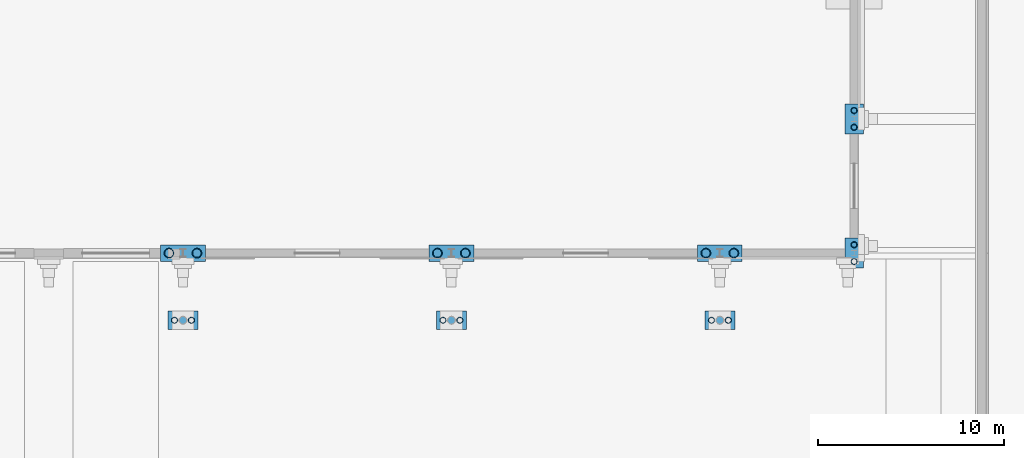
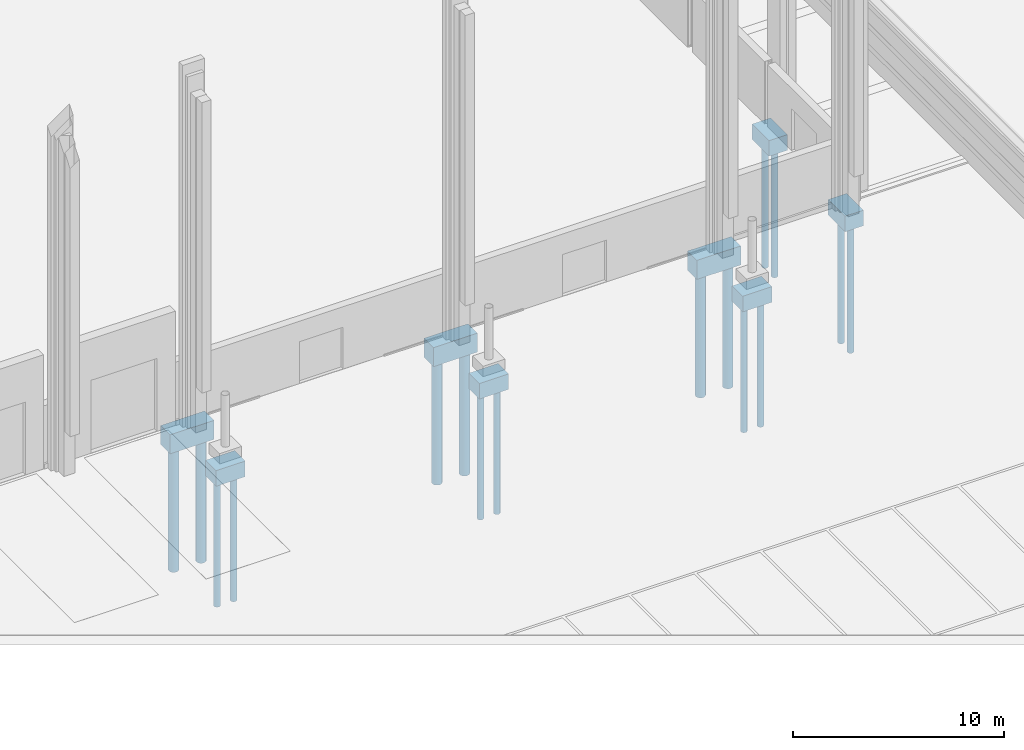
# One storey, part 17 of 148: 16 piles, 8 footings.
"""IFC4 building model written with IfcOpenShell, lengths in metres."""

from ifc_helpers import new_model, si_unit, direction, frame, origin, origin_2d, place, context, subcontext, project, spatial, rectangle, hollow_circle, extrude, material, layer, layer_set, material_profile, profile_set, type_object, element, save


model = new_model("IFC4")

# Units and contexts
model_context = context("Model", 3, precision=1e-05, world=origin(), true_north=direction((0.0, 1.0)))
body_context = subcontext(model_context, "Body", "Model", "MODEL_VIEW")
ifc_project = project(units=[si_unit("LENGTHUNIT", "METRE"), si_unit("AREAUNIT", "SQUARE_METRE"), si_unit("VOLUMEUNIT", "CUBIC_METRE"), si_unit("PLANEANGLEUNIT", "RADIAN"), si_unit("MASSUNIT", "GRAM", prefix="KILO")], contexts=[model_context])

# Site, building, storey
site_placement = place(None, origin())
site = spatial("IfcSite", under=ifc_project, at=site_placement, CompositionType="ELEMENT")
building_placement = place(site_placement, origin())
building = spatial("IfcBuilding", under=site, at=building_placement, Name="Kupolbacken Congress Centre", CompositionType="ELEMENT")
storey_placement = place(building_placement, origin())
storey = spatial("IfcBuildingStorey", under=building, at=storey_placement, Name="L00", CompositionType="ELEMENT", Elevation=0.0)

# Footings
ifc_material_1 = material(Name="Concrete C30/37", Category="concrete")
ifc_layer_1 = layer(ifc_material_1, 1.10009765625)
ifc_layer_set_1 = layer_set([ifc_layer_1], Name="Concrete C30/37")
footing_type_1 = type_object("IfcFootingType", Name="PC2 pile cap 2.40 x 0.90 x 1.10 m", PredefinedType="PILE_CAP", material=ifc_layer_set_1)
for number, where, z_axis, x_axis, name in (
    (1, (165.60009765625, 43.199951171875, -1.400146484375), (0.0, 0.0, 1.0), (1.0, 0.0, 0.0), "S/fnd/C-H-T6S/cap"),
    (2, (180.0, 43.199951171875, -1.400146484375), (0.0, 0.0, 1.0), (1.0, 0.0, 0.0), "S/fnd/C-H-T7S/cap"),
    (3, (194.39990234375, 43.199951171875, -1.400146484375), (0.0, 0.0, 1.0), (1.0, 0.0, 0.0), "S/fnd/C-H-T8S/cap"),
):
    element("IfcFooting", number, at=place(storey_placement, frame(where, z_axis=z_axis, x_axis=x_axis)), inside=storey, type_object=footing_type_1, Name=name, PredefinedType="PILE_CAP", context=body_context, shape_type="SweptSolid", body=[
        extrude(rectangle(XDim=2.39990234375, YDim=0.89990234375, at=origin_2d()), origin(), (0.0, 0.0, 1.0), 1.10009765625),
    ])
ifc_material_2 = material(Name="Concrete C30/37", Category="concrete")
ifc_layer_2 = layer(ifc_material_2, 0.89990234375)
ifc_layer_set_2 = layer_set([ifc_layer_2], Name="Concrete C30/37")
footing_type_2 = type_object("IfcFootingType", Name="PC7 pile cap 1.60 x 1.00 x 0.90 m", PredefinedType="PILE_CAP", material=ifc_layer_set_2)
for number, where, z_axis, x_axis, name in (
    (4, (201.60009765625, 43.199951171875, -1.199951171875), (0.0, 0.0, 1.0), (1.0, 0.0, 0.0), "S/fnd/C-H-PE01/cap"),
    (5, (201.60009765625, 50.39990234375, -1.199951171875), (0.0, 0.0, 1.0), (1.0, 0.0, 0.0), "S/fnd/C-H-PE02/cap"),
):
    element("IfcFooting", number, at=place(storey_placement, frame(where, z_axis=z_axis, x_axis=x_axis)), inside=storey, type_object=footing_type_2, Name=name, PredefinedType="PILE_CAP", context=body_context, shape_type="SweptSolid", body=[
        extrude(rectangle(XDim=1.0, YDim=1.60009765625, at=origin_2d()), origin(), (0.0, 0.0, 1.0), 0.89990234375),
    ])
for number, where, z_axis, x_axis, name in (
    (6, (165.60009765625, 39.60009765625, -1.199951171875), (0.0, 0.0, 1.0), (1.0, 0.0, 0.0), "MS/M6S/fnd/cap"),
    (7, (180.0, 39.60009765625, -1.199951171875), (0.0, 0.0, 1.0), (1.0, 0.0, 0.0), "MS/M7S/fnd/cap"),
    (8, (194.39990234375, 39.60009765625, -1.199951171875), (0.0, 0.0, 1.0), (1.0, 0.0, 0.0), "MS/M8S/fnd/cap"),
):
    element("IfcFooting", number, at=place(storey_placement, frame(where, z_axis=z_axis, x_axis=x_axis)), inside=storey, type_object=footing_type_2, Name=name, PredefinedType="PILE_CAP", context=body_context, shape_type="SweptSolid", body=[
        extrude(rectangle(XDim=1.60009765625, YDim=1.0, at=origin_2d()), origin(), (0.0, 0.0, 1.0), 0.89990234375),
    ])

# Piles
ifc_material_3 = material(Name="Steel S355", Category="steel")
ifc_material_profile_1 = material_profile(ifc_material_3, hollow_circle(Radius=0.161865234375, WallThickness=0.012451171875, at=origin_2d()), Name="CHS 323.9 x 12.5")
ifc_profile_set_1 = profile_set([ifc_material_profile_1], Name="Steel S355")
pile_type_1 = type_object("IfcPileType", Name="PL1 steel tube pile CHS 323.9 x 12.5", PredefinedType="BORED", material=ifc_profile_set_1)
for number, where, z_axis, x_axis, name in (
    (9, (201.60009765625, 42.75, -1.199951171875), (0.0, 0.0, -1.0), (1.0, 0.0, 0.0), "S/fnd/C-H-PE01/pile1"),
    (10, (201.60009765625, 43.64990234375, -1.199951171875), (0.0, 0.0, -1.0), (1.0, 0.0, 0.0), "S/fnd/C-H-PE01/pile2"),
    (11, (201.60009765625, 49.949951171875, -1.199951171875), (0.0, 0.0, -1.0), (1.0, 0.0, 0.0), "S/fnd/C-H-PE02/pile1"),
    (12, (201.60009765625, 50.85009765625, -1.199951171875), (0.0, 0.0, -1.0), (1.0, 0.0, 0.0), "S/fnd/C-H-PE02/pile2"),
    (13, (165.14990234375, 39.60009765625, -1.199951171875), (0.0, 0.0, -1.0), (1.0, 0.0, 0.0), "MS/M6S/fnd/pile1"),
    (14, (166.050048828125, 39.60009765625, -1.199951171875), (0.0, 0.0, -1.0), (1.0, 0.0, 0.0), "MS/M6S/fnd/pile2"),
    (15, (179.550048828125, 39.60009765625, -1.199951171875), (0.0, 0.0, -1.0), (1.0, 0.0, 0.0), "MS/M7S/fnd/pile1"),
    (16, (180.449951171875, 39.60009765625, -1.199951171875), (0.0, 0.0, -1.0), (1.0, 0.0, 0.0), "MS/M7S/fnd/pile2"),
    (17, (193.949951171875, 39.60009765625, -1.199951171875), (0.0, 0.0, -1.0), (1.0, 0.0, 0.0), "MS/M8S/fnd/pile1"),
    (18, (194.85009765625, 39.60009765625, -1.199951171875), (0.0, 0.0, -1.0), (1.0, 0.0, 0.0), "MS/M8S/fnd/pile2"),
):
    element("IfcPile", number, at=place(storey_placement, frame(where, z_axis=z_axis, x_axis=x_axis)), inside=storey, type_object=pile_type_1, Name=name, PredefinedType="BORED", context=body_context, shape_type="SweptSolid", body=[
        extrude(hollow_circle(Radius=0.161865234375, WallThickness=0.012451171875, at=origin_2d()), origin(), (0.0, 0.0, 1.0), 7.300048828125),
    ])
ifc_material_4 = material(Name="Steel S355", Category="steel")
ifc_material_profile_2 = material_profile(ifc_material_4, hollow_circle(Radius=0.25390625, WallThickness=0.02001953125, at=origin_2d()), Name="CHS 508 x 20")
ifc_profile_set_2 = profile_set([ifc_material_profile_2], Name="Steel S355")
pile_type_2 = type_object("IfcPileType", Name="PL3 steel tube pile CHS 508 x 20", PredefinedType="BORED", material=ifc_profile_set_2)
for number, where, z_axis, x_axis, name in (
    (19, (164.85009765625, 43.199951171875, -1.39990234375), (0.0, 0.0, -1.0), (1.0, 0.0, 0.0), "S/fnd/C-H-T6S/pile1"),
    (20, (166.35009765625, 43.199951171875, -1.39990234375), (0.0, 0.0, -1.0), (1.0, 0.0, 0.0), "S/fnd/C-H-T6S/pile2"),
    (21, (179.25, 43.199951171875, -1.39990234375), (0.0, 0.0, -1.0), (1.0, 0.0, 0.0), "S/fnd/C-H-T7S/pile1"),
    (22, (180.75, 43.199951171875, -1.39990234375), (0.0, 0.0, -1.0), (1.0, 0.0, 0.0), "S/fnd/C-H-T7S/pile2"),
    (23, (193.64990234375, 43.199951171875, -1.39990234375), (0.0, 0.0, -1.0), (1.0, 0.0, 0.0), "S/fnd/C-H-T8S/pile1"),
    (24, (195.14990234375, 43.199951171875, -1.39990234375), (0.0, 0.0, -1.0), (1.0, 0.0, 0.0), "S/fnd/C-H-T8S/pile2"),
):
    element("IfcPile", number, at=place(storey_placement, frame(where, z_axis=z_axis, x_axis=x_axis)), inside=storey, type_object=pile_type_2, Name=name, PredefinedType="BORED", context=body_context, shape_type="SweptSolid", body=[
        extrude(hollow_circle(Radius=0.25390625, WallThickness=0.02001953125, at=origin_2d()), origin(), (0.0, 0.0, 1.0), 7.10009765625),
    ])

save(model, "model.ifc")
